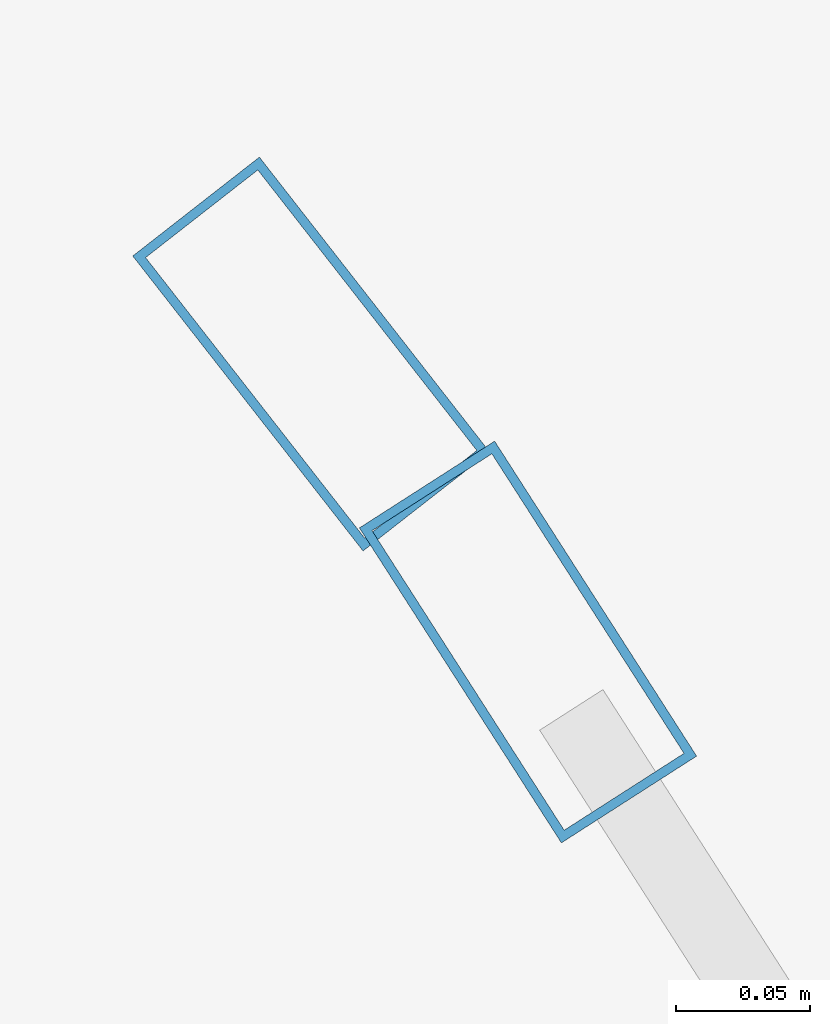
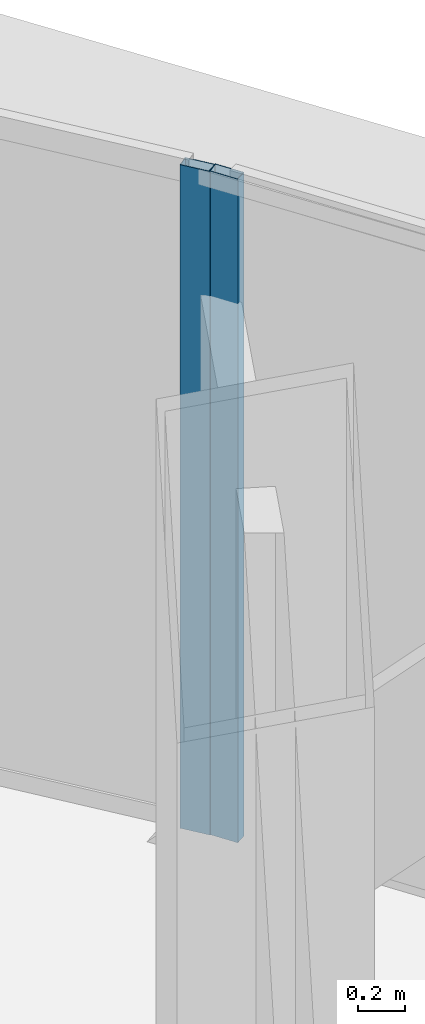
# One storey, part 26 of 37: 2 members, 2 elements without a shape of their own.
"""IFC4 building model written with IfcOpenShell, lengths in metres."""

from ifc_helpers import new_model, si_unit, direction, frame, origin, origin_2d, place, context, subcontext, project, spatial, hollow_rectangle, extrude, source, transform, mapped, material, layer, layer_set, material_profile, profile_set, type_object, element, aggregate, save


model = new_model("IFC4")

# Units and contexts
model_context = context("Model", 3, precision=1e-05, world=origin(), true_north=direction((0.0, 1.0)))
body_context = subcontext(model_context, "Body", "Model", "MODEL_VIEW")
ifc_project = project(units=[si_unit("LENGTHUNIT", "METRE"), si_unit("AREAUNIT", "SQUARE_METRE"), si_unit("VOLUMEUNIT", "CUBIC_METRE"), si_unit("PLANEANGLEUNIT", "RADIAN"), si_unit("MASSUNIT", "GRAM", prefix="KILO"), si_unit("THERMODYNAMICTEMPERATUREUNIT", "KELVIN"), si_unit("POWERUNIT", "WATT")], contexts=[model_context])

# Site, building, storey
site_placement = place(None, origin())
site = spatial("IfcSite", under=ifc_project, at=site_placement, CompositionType="ELEMENT")
building_placement = place(site_placement, origin())
building = spatial("IfcBuilding", under=site, at=building_placement, Name="Yunzhuo Pagoda Commons", CompositionType="ELEMENT")
storey_placement = place(building_placement, frame((0.0, 0.0, 255.719970703125)))
storey = spatial("IfcBuildingStorey", under=building, at=storey_placement, Name="L64", CompositionType="ELEMENT", Elevation=255.719970703125)

# Curtain wall, member
ifc_material = material(Name="Anodized aluminium 6063-T6", Category="aluminium")
ifc_layer = layer(ifc_material, 0.139892578125)
ifc_layer_set = layer_set([ifc_layer], Name="Anodized aluminium 6063-T6")
curtain_wall_type = type_object("IfcCurtainWallType", Name="CW-HI High-Zone Ribbon Curtain Wall", PredefinedType="NOTDEFINED", material=ifc_layer_set)
curtain_wall_1_placement = place(storey_placement, origin())
curtain_wall_1 = element("IfcCurtainWall", 1, at=curtain_wall_1_placement, inside=storey, type_object=curtain_wall_type, Name="L64 curtain wall CW-L64-F2B4", PredefinedType="NOTDEFINED")
ifc_material_profile = material_profile(ifc_material, hollow_rectangle(XDim=0.06005859375, YDim=0.139892578125, WallThickness=0.00341796875, at=origin_2d()), Name="Anodized aluminium 6063-T6")
ifc_profile_set = profile_set([ifc_material_profile], Name="Anodized aluminium 6063-T6")
member_type = type_object("IfcMemberType", Name="CW-HI-M Mullion RHS 140x60x3.5", PredefinedType="MULLION", material=ifc_profile_set)
shared_shape = source(origin(), body_context, "Body", "SweptSolid", [
    extrude(hollow_rectangle(XDim=0.06005859375, YDim=0.139892578125, WallThickness=0.00341796875, at=origin_2d()), origin(), (0.0, 0.0, 1.0), 3.469970703125),
])
member_1_placement = place(storey_placement, frame((62.173095703125, 65.4716796875, 0.0), z_axis=(0.0, 0.0, 1.0), x_axis=(-0.841750083847, -0.539867387738, 0.0)))
member_1 = element("IfcMember", 2, at=member_1_placement, type_object=member_type, Name="CW mullion 2", PredefinedType="MULLION", context=body_context, shape_type="MappedRepresentation", body=[
    mapped(shared_shape, transform((0.0, 0.0, 0.0), scale=1.0)),
])
aggregate(curtain_wall_1, [member_1])

curtain_wall_2_placement = place(storey_placement, origin())
curtain_wall_2 = element("IfcCurtainWall", 3, at=curtain_wall_2_placement, inside=storey, type_object=curtain_wall_type, Name="L64 curtain wall CW-L64-F2B5", PredefinedType="NOTDEFINED")
member_2_placement = place(storey_placement, frame((62.092041015625, 65.579345703125, 0.0), z_axis=(0.0, 0.0, 1.0), x_axis=(-0.788189580024, -0.615432519405, 0.0)))
member_2 = element("IfcMember", 4, at=member_2_placement, type_object=member_type, Name="CW mullion 1", PredefinedType="MULLION", context=body_context, shape_type="MappedRepresentation", body=[
    mapped(shared_shape, transform((0.0, 0.0, 0.0), scale=1.0)),
])
aggregate(curtain_wall_2, [member_2])

save(model, "model.ifc")
